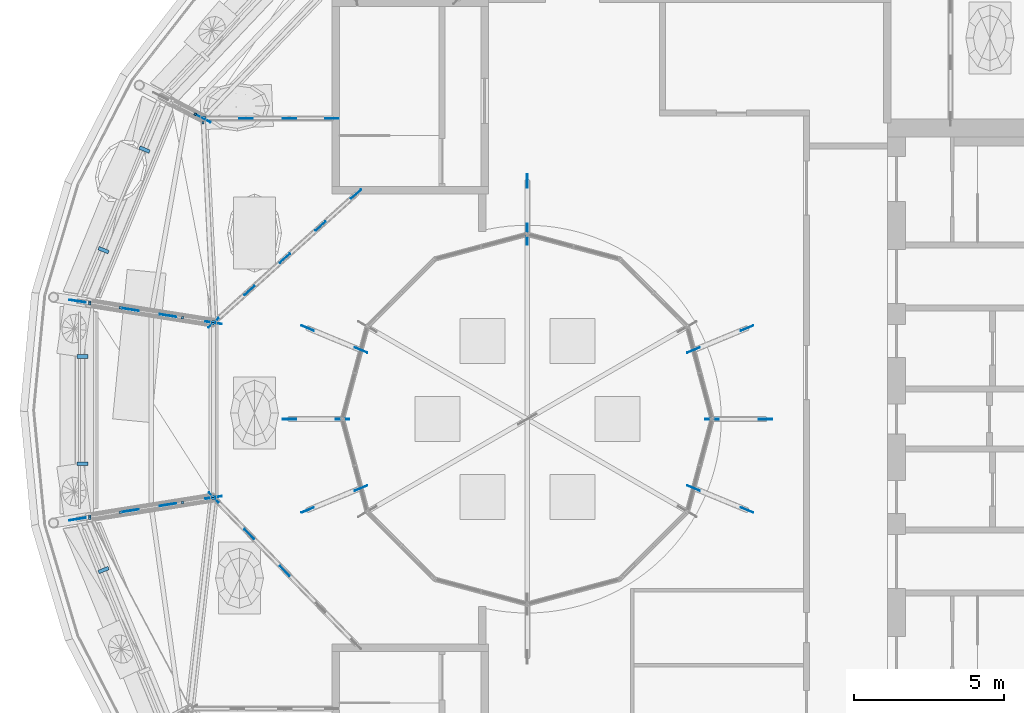
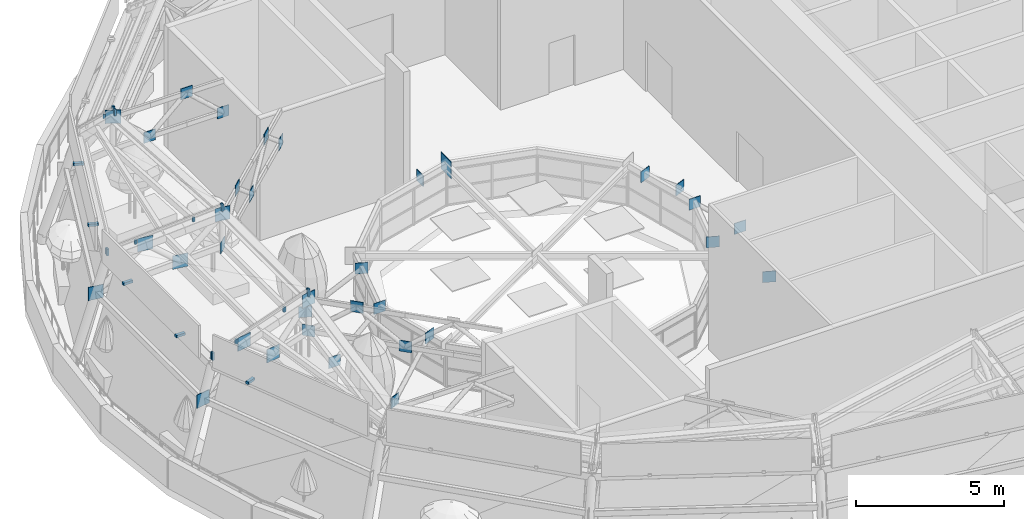
# One storey, part 22 of 40: 54 discrete accessories.
"""IFC4 building model written with IfcOpenShell, lengths in metres."""

from ifc_helpers import new_model, si_unit, direction, frame, origin, origin_2d, place, context, subcontext, project, spatial, rectangle, extrude, material, type_object, element, save


model = new_model("IFC4")

# Units and contexts
model_context = context("Model", 3, precision=1e-05, world=origin(), true_north=direction((0.0, 1.0)))
body_context = subcontext(model_context, "Body", "Model", "MODEL_VIEW")
ifc_project = project(units=[si_unit("LENGTHUNIT", "METRE"), si_unit("AREAUNIT", "SQUARE_METRE"), si_unit("VOLUMEUNIT", "CUBIC_METRE"), si_unit("PLANEANGLEUNIT", "RADIAN"), si_unit("MASSUNIT", "GRAM", prefix="KILO")], contexts=[model_context])

# Site, building, storey
site_placement = place(None, origin())
site = spatial("IfcSite", under=ifc_project, at=site_placement, CompositionType="ELEMENT")
building_placement = place(site_placement, origin())
building = spatial("IfcBuilding", under=site, at=building_placement, Name="Taillehof Tower", CompositionType="ELEMENT")
storey_placement = place(building_placement, frame((0.0, 0.0, 275.199951171875)))
storey = spatial("IfcBuildingStorey", under=building, at=storey_placement, Name="L77", CompositionType="ELEMENT", Elevation=275.199951171875)

# Discrete accessories
ifc_material_1 = material(Name="Steel S460M", Category="steel")
discrete_accessory_type_1 = type_object("IfcDiscreteAccessoryType", Name="Steel bracket", PredefinedType="BRACKET", material=ifc_material_1)
discrete_accessory_1_placement = place(storey_placement, frame((-18.764404296875, 10.067626953125, 5.239990234375), z_axis=(0.0, 0.0, 1.0), x_axis=(1.0, 0.0, 0.0)))
element("IfcDiscreteAccessory", 1, at=discrete_accessory_1_placement, inside=storey, type_object=discrete_accessory_type_1, Name="Canopy glazing seat", PredefinedType="BRACKET", context=body_context, shape_type="SweptSolid", body=[
    extrude(rectangle(XDim=0.080078125, YDim=0.080078125, at=origin_2d()), origin(), (0.0, 0.0, 1.0), 0.2685546875),
])
discrete_accessory_2_placement = place(storey_placement, frame((-19.064208984375, 10.156494140625, 5.0400390625), z_axis=(0.0, 0.0, 1.0), x_axis=(0.887148603147, -0.461483863136, 0.0)))
element("IfcDiscreteAccessory", 2, at=discrete_accessory_2_placement, inside=storey, type_object=discrete_accessory_type_1, Name="Canopy glazing seat", PredefinedType="BRACKET", context=body_context, shape_type="SweptSolid", body=[
    extrude(rectangle(XDim=0.080078125, YDim=0.080078125, at=origin_2d()), origin(), (0.0, 0.0, 1.0), 0.18310546875),
])
for number, where, z_axis, x_axis, name in (
    (3, (-22.575927734375, 3.897216796875, 4.4423828125), (0.0, 0.0, 1.0), (1.0, 0.0, 0.0), "Canopy glazing seat"),
    (4, (-18.464111328125, 3.24560546875, 5.2353515625), (0.0, 0.0, 1.0), (1.0, 0.0, 0.0), "Canopy glazing seat"),
):
    element("IfcDiscreteAccessory", number, at=place(storey_placement, frame(where, z_axis=z_axis, x_axis=x_axis)), inside=storey, type_object=discrete_accessory_type_1, Name=name, PredefinedType="BRACKET", context=body_context, shape_type="SweptSolid", body=[
        extrude(rectangle(XDim=0.080078125, YDim=0.080078125, at=origin_2d()), origin(), (0.0, 0.0, 1.0), 0.275146484375),
    ])
discrete_accessory_3_placement = place(storey_placement, frame((-18.8046875, 9.88037109375, 5.239990234375), z_axis=(0.0, 0.0, 1.0), x_axis=(1.0, 0.0, 0.0)))
element("IfcDiscreteAccessory", 5, at=discrete_accessory_3_placement, inside=storey, type_object=discrete_accessory_type_1, Name="Canopy glazing seat", PredefinedType="BRACKET", context=body_context, shape_type="SweptSolid", body=[
    extrude(rectangle(XDim=0.080078125, YDim=0.080078125, at=origin_2d()), origin(), (0.0, 0.0, 1.0), 0.2646484375),
])
for number, where, z_axis, x_axis, name in (
    (6, (-21.56201171875, 3.70654296875, 4.64013671875), (0.0, 0.0, 1.0), (0.987650633856, -0.156672350607, 0.0), "Canopy glazing seat"),
    (7, (-19.488037109375, 3.37744140625, 5.0400390625), (0.0, 0.0, 1.0), (0.987650633856, -0.156672350607, 0.0), "Canopy glazing seat"),
):
    element("IfcDiscreteAccessory", number, at=place(storey_placement, frame(where, z_axis=z_axis, x_axis=x_axis)), inside=storey, type_object=discrete_accessory_type_1, Name=name, PredefinedType="BRACKET", context=body_context, shape_type="SweptSolid", body=[
        extrude(rectangle(XDim=0.080078125, YDim=0.080078125, at=origin_2d()), origin(), (0.0, 0.0, 1.0), 0.18310546875),
    ])
discrete_accessory_4_placement = place(storey_placement, frame((-22.581298828125, 3.8408203125, 4.443359375), z_axis=(0.0, 0.0, 1.0), x_axis=(1.0, 0.0, 0.0)))
element("IfcDiscreteAccessory", 8, at=discrete_accessory_4_placement, inside=storey, type_object=discrete_accessory_type_1, Name="Canopy glazing seat", PredefinedType="BRACKET", context=body_context, shape_type="SweptSolid", body=[
    extrude(rectangle(XDim=0.080078125, YDim=0.080078125, at=origin_2d()), origin(), (0.0, 0.0, 1.0), 0.275146484375),
])
for number, where, z_axis, x_axis, name in (
    (9, (-22.581298828125, -3.24072265625, 4.443359375), (0.0, 0.0, 1.0), (1.0, 0.0, 0.0), "Canopy glazing seat"),
    (10, (-18.47119140625, -2.58447265625, 5.23583984375), (0.0, 0.0, 1.0), (1.0, 0.0, 0.0), "Canopy glazing seat"),
):
    element("IfcDiscreteAccessory", number, at=place(storey_placement, frame(where, z_axis=z_axis, x_axis=x_axis)), inside=storey, type_object=discrete_accessory_type_1, Name=name, PredefinedType="BRACKET", context=body_context, shape_type="SweptSolid", body=[
        extrude(rectangle(XDim=0.080078125, YDim=0.080078125, at=origin_2d()), origin(), (0.0, 0.0, 1.0), 0.304931640625),
    ])
discrete_accessory_5_placement = place(storey_placement, frame((-18.47119140625, 3.1845703125, 5.236328125), z_axis=(0.0, 0.0, 1.0), x_axis=(1.0, 0.0, 0.0)))
element("IfcDiscreteAccessory", 11, at=discrete_accessory_5_placement, inside=storey, type_object=discrete_accessory_type_1, Name="Canopy glazing seat", PredefinedType="BRACKET", context=body_context, shape_type="SweptSolid", body=[
    extrude(rectangle(XDim=0.080078125, YDim=0.080078125, at=origin_2d()), origin(), (0.0, 0.0, 1.0), 0.275146484375),
])
for number, where, z_axis, x_axis, name in (
    (12, (-21.56201171875, -3.1064453125, 4.639892578125), (0.0, 0.0, 1.0), (0.987650633856, 0.156672350607, 0.0), "Canopy glazing seat"),
    (13, (-19.488037109375, -2.777587890625, 5.0400390625), (0.0, 0.0, 1.0), (0.987650633856, 0.156672350607, 0.0), "Canopy glazing seat"),
):
    element("IfcDiscreteAccessory", number, at=place(storey_placement, frame(where, z_axis=z_axis, x_axis=x_axis)), inside=storey, type_object=discrete_accessory_type_1, Name=name, PredefinedType="BRACKET", context=body_context, shape_type="SweptSolid", body=[
        extrude(rectangle(XDim=0.080078125, YDim=0.080078125, at=origin_2d()), origin(), (0.0, 0.0, 1.0), 0.212890625),
    ])
for number, where, z_axis, x_axis, name in (
    (14, (-22.57666015625, -3.298095703125, 4.4521484375), (0.0, 0.0, 1.0), (1.0, 0.0, 0.0), "Canopy glazing seat"),
    (15, (-18.464599609375, -2.645263671875, 5.23828125), (0.0, 0.0, 1.0), (1.0, 0.0, 0.0), "Canopy glazing seat"),
):
    element("IfcDiscreteAccessory", number, at=place(storey_placement, frame(where, z_axis=z_axis, x_axis=x_axis)), inside=storey, type_object=discrete_accessory_type_1, Name=name, PredefinedType="BRACKET", context=body_context, shape_type="SweptSolid", body=[
        extrude(rectangle(XDim=0.080078125, YDim=0.080078125, at=origin_2d()), origin(), (0.0, 0.0, 1.0), 0.304931640625),
    ])
for number, where, z_axis, x_axis, name in (
    (16, (-20.7509765625, 8.979248046875, 4.429931640625), (0.0, 0.0, 1.0), (-0.927085751017, 0.374849316741, 0.0), "Crown fascia bracket"),
    (17, (-22.118896484375, 5.628662109375, 4.429931640625), (0.0, 0.0, 1.0), (-0.927085751017, 0.374849316741, 0.0), "Crown fascia bracket"),
    (18, (-22.819091796875, 2.08544921875, 4.429931640625), (0.0, 0.0, 1.0), (-1.0, 0.0, 0.0), "Crown fascia bracket"),
    (19, (-22.819091796875, -1.485595703125, 4.429931640625), (0.0, 0.0, 1.0), (-1.0, 0.0, 0.0), "Crown fascia bracket"),
    (20, (-22.118896484375, -5.02880859375, 4.429931640625), (0.0, 0.0, 1.0), (-0.927085751017, -0.374849316741, 0.0), "Crown fascia bracket"),
):
    element("IfcDiscreteAccessory", number, at=place(storey_placement, frame(where, z_axis=z_axis, x_axis=x_axis)), inside=storey, type_object=discrete_accessory_type_1, Name=name, PredefinedType="BRACKET", context=body_context, shape_type="SweptSolid", body=[
        extrude(rectangle(XDim=0.360107421875, YDim=0.1201171875, at=origin_2d()), origin(), (0.0, 0.0, 1.0), 0.10009765625),
    ])
ifc_material_2 = material(Name="Steel S460M", Category="steel")
discrete_accessory_type_2 = type_object("IfcDiscreteAccessoryType", Name="Steel gusset plate", PredefinedType="BRACKET", material=ifc_material_2)
for number, where, z_axis, x_axis, name in (
    (21, (-22.989990234375, -3.330078125, 2.72509765625), (0.0, 0.0, 1.0), (0.987635863448, 0.15676543379, 0.0), "Gusset plate 309"),
    (22, (-22.989990234375, 3.929931640625, 2.72509765625), (0.0, 0.0, 1.0), (0.987635863448, -0.15676543379, 0.0), "Gusset plate 310"),
    (23, (-21.219970703125, -3.050048828125, 4.294921875), (0.0, 0.0, 1.0), (0.987635863448, 0.15676543379, 0.0), "Gusset plate 311"),
    (24, (-21.219970703125, 3.64990234375, 4.294921875), (0.0, 0.0, 1.0), (0.987635863448, -0.15676543379, 0.0), "Gusset plate 312"),
    (25, (-19.969970703125, -2.85009765625, 3.2548828125), (0.0, 0.0, 1.0), (0.987634495374, 0.156774052533, 0.0), "Gusset plate 315"),
    (26, (-19.969970703125, 3.449951171875, 3.2548828125), (0.0, 0.0, 1.0), (0.987634495374, -0.156774052533, 0.0), "Gusset plate 316"),
    (27, (-18.800048828125, 10.02001953125, 4.8251953125), (0.0, 0.0, 1.0), (0.887312856934, -0.461167967145, 0.0), "Gusset plate 318"),
):
    element("IfcDiscreteAccessory", number, at=place(storey_placement, frame(where, z_axis=z_axis, x_axis=x_axis)), inside=storey, type_object=discrete_accessory_type_2, Name=name, PredefinedType="BRACKET", context=body_context, shape_type="SweptSolid", body=[
        extrude(rectangle(XDim=0.550048828125, YDim=0.02490234375, at=origin_2d()), origin(), (0.0, 0.0, 1.0), 0.550048828125),
    ])
discrete_accessory_6_placement = place(storey_placement, frame((-18.449951171875, -2.610107421875, 3.5751953125), z_axis=(0.0, 0.0, 1.0), x_axis=(0.69708376744, -0.716989693909, 0.0)))
element("IfcDiscreteAccessory", 28, at=discrete_accessory_6_placement, inside=storey, type_object=discrete_accessory_type_2, Name="Gusset plate 319", PredefinedType="BRACKET", context=body_context, shape_type="SweptSolid", body=[
    extrude(rectangle(XDim=0.449951171875, YDim=0.02490234375, at=origin_2d()), origin(), (0.0, 0.0, 1.0), 0.449951171875),
])
discrete_accessory_7_placement = place(storey_placement, frame((-18.449951171875, -2.610107421875, 4.8251953125), z_axis=(0.0, 0.0, 1.0), x_axis=(0.987635042612, 0.156770605038, 0.0)))
element("IfcDiscreteAccessory", 29, at=discrete_accessory_7_placement, inside=storey, type_object=discrete_accessory_type_2, Name="Gusset plate 320", PredefinedType="BRACKET", context=body_context, shape_type="SweptSolid", body=[
    extrude(rectangle(XDim=0.550048828125, YDim=0.02490234375, at=origin_2d()), origin(), (0.0, 0.0, 1.0), 0.550048828125),
])
discrete_accessory_8_placement = place(storey_placement, frame((-18.449951171875, 3.2099609375, 3.5751953125), z_axis=(0.0, 0.0, 1.0), x_axis=(0.742453059813, 0.669898092231, 0.0)))
element("IfcDiscreteAccessory", 30, at=discrete_accessory_8_placement, inside=storey, type_object=discrete_accessory_type_2, Name="Gusset plate 321", PredefinedType="BRACKET", context=body_context, shape_type="SweptSolid", body=[
    extrude(rectangle(XDim=0.449951171875, YDim=0.02490234375, at=origin_2d()), origin(), (0.0, 0.0, 1.0), 0.449951171875),
])
discrete_accessory_9_placement = place(storey_placement, frame((-18.449951171875, 3.2099609375, 4.8251953125), z_axis=(0.0, 0.0, 1.0), x_axis=(0.987635042612, -0.156770605038, 0.0)))
element("IfcDiscreteAccessory", 31, at=discrete_accessory_9_placement, inside=storey, type_object=discrete_accessory_type_2, Name="Gusset plate 322", PredefinedType="BRACKET", context=body_context, shape_type="SweptSolid", body=[
    extrude(rectangle(XDim=0.550048828125, YDim=0.02490234375, at=origin_2d()), origin(), (0.0, 0.0, 1.0), 0.550048828125),
])
for number, where, z_axis, x_axis, name in (
    (32, (-17.3701171875, 10.02001953125, 3.5751953125), (0.0, 0.0, 1.0), (1.0, 0.0, 0.0), "Gusset plate 324"),
    (33, (-17.260009765625, -3.830078125, 4.875), (0.0, 0.0, 1.0), (0.69708376744, -0.716989693909, 0.0), "Gusset plate 325"),
    (34, (-17.260009765625, 4.280029296875, 4.875), (0.0, 0.0, 1.0), (0.742453059813, 0.669898092231, 0.0), "Gusset plate 326"),
    (35, (-16.080078125, -5.06005859375, 3.5751953125), (0.0, 0.0, 1.0), (0.69708376744, -0.716989693909, 0.0), "Gusset plate 328"),
    (36, (-16.080078125, 5.360107421875, 3.5751953125), (0.0, 0.0, 1.0), (0.742453059813, 0.669898092231, 0.0), "Gusset plate 329"),
    (37, (-15.929931640625, 0.0, -0.1650390625), (0.0, 0.0, 1.0), (1.0, 0.0, 0.0), "Gusset plate 330"),
    (38, (-15.929931640625, 10.02001953125, 4.875), (0.0, 0.0, 1.0), (1.0, 0.0, 0.0), "Gusset plate 331"),
    (39, (-15.320068359375, -3.030029296875, -0.1650390625), (0.0, 0.0, 1.0), (0.923878864601, 0.382685044838, 0.0), "Gusset plate 332"),
    (40, (-15.320068359375, 3.030029296875, -0.1650390625), (0.0, 0.0, 1.0), (0.923878864601, -0.382685044838, 0.0), "Gusset plate 333"),
    (41, (-14.889892578125, 6.429931640625, 4.875), (0.0, 0.0, 1.0), (0.742455398194, 0.669895500577, 0.0), "Gusset plate 337"),
    (42, (-14.5, 10.02001953125, 3.5751953125), (0.0, 0.0, 1.0), (1.0, 0.0, 0.0), "Gusset plate 339"),
    (43, (-14.159912109375, 0.0, 1.455078125), (0.0, 0.0, 1.0), (1.0, 0.0, 0.0), "Gusset plate 341"),
    (44, (-13.699951171875, 7.5, 3.5751953125), (0.0, 0.0, 1.0), (0.742453059813, 0.669898092231, 0.0), "Gusset plate 345"),
    (45, (-13.5400390625, -2.300048828125, 1.455078125), (0.0, 0.0, 1.0), (0.923878864601, 0.382685044838, 0.0), "Gusset plate 347"),
    (46, (-13.5400390625, 2.300048828125, 1.455078125), (0.0, 0.0, 1.0), (0.923878864601, -0.382685044838, 0.0), "Gusset plate 348"),
):
    element("IfcDiscreteAccessory", number, at=place(storey_placement, frame(where, z_axis=z_axis, x_axis=x_axis)), inside=storey, type_object=discrete_accessory_type_2, Name=name, PredefinedType="BRACKET", context=body_context, shape_type="SweptSolid", body=[
        extrude(rectangle(XDim=0.449951171875, YDim=0.02490234375, at=origin_2d()), origin(), (0.0, 0.0, 1.0), 0.449951171875),
    ])
discrete_accessory_10_placement = place(storey_placement, frame((-8.0, 6.159912109375, 1.30029296875), z_axis=(0.0, 0.0, 1.0), x_axis=(0.0, -1.0, 0.0)))
element("IfcDiscreteAccessory", 47, at=discrete_accessory_10_placement, inside=storey, type_object=discrete_accessory_type_2, Name="Gusset plate 361", PredefinedType="BRACKET", context=body_context, shape_type="SweptSolid", body=[
    extrude(rectangle(XDim=0.699951171875, YDim=0.02490234375, at=origin_2d()), origin(), (0.0, 0.0, 1.0), 0.699951171875),
])
for number, where, z_axis, x_axis, name in (
    (48, (-8.0, 7.929931640625, -0.1650390625), (0.0, 0.0, 1.0), (0.0, -1.0, 0.0), "Gusset plate 362"),
    (49, (-2.4599609375, -2.300048828125, 1.455078125), (0.0, 0.0, 1.0), (-0.923878864601, 0.382685044838, 0.0), "Gusset plate 369"),
    (50, (-2.4599609375, 2.300048828125, 1.455078125), (0.0, 0.0, 1.0), (-0.923878864601, -0.382685044838, 0.0), "Gusset plate 370"),
    (51, (-1.840087890625, 0.0, 1.455078125), (0.0, 0.0, 1.0), (-1.0, 0.0, 0.0), "Gusset plate 371"),
    (52, (-0.679931640625, -3.030029296875, -0.1650390625), (0.0, 0.0, 1.0), (-0.923878864601, 0.382685044838, 0.0), "Gusset plate 372"),
    (53, (-0.679931640625, 3.030029296875, -0.1650390625), (0.0, 0.0, 1.0), (-0.923878864601, -0.382685044838, 0.0), "Gusset plate 373"),
    (54, (-0.070068359375, 0.0, -0.1650390625), (0.0, 0.0, 1.0), (-1.0, 0.0, 0.0), "Gusset plate 382"),
):
    element("IfcDiscreteAccessory", number, at=place(storey_placement, frame(where, z_axis=z_axis, x_axis=x_axis)), inside=storey, type_object=discrete_accessory_type_2, Name=name, PredefinedType="BRACKET", context=body_context, shape_type="SweptSolid", body=[
        extrude(rectangle(XDim=0.449951171875, YDim=0.02490234375, at=origin_2d()), origin(), (0.0, 0.0, 1.0), 0.449951171875),
    ])

save(model, "model.ifc")
